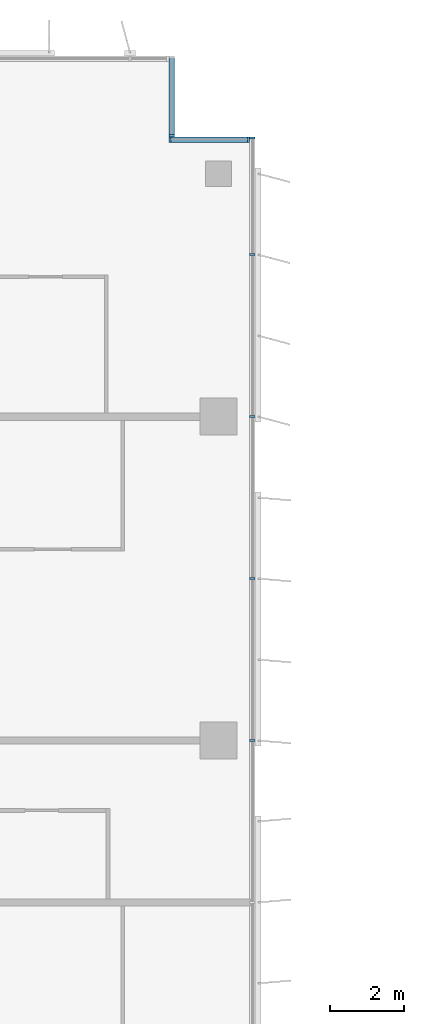
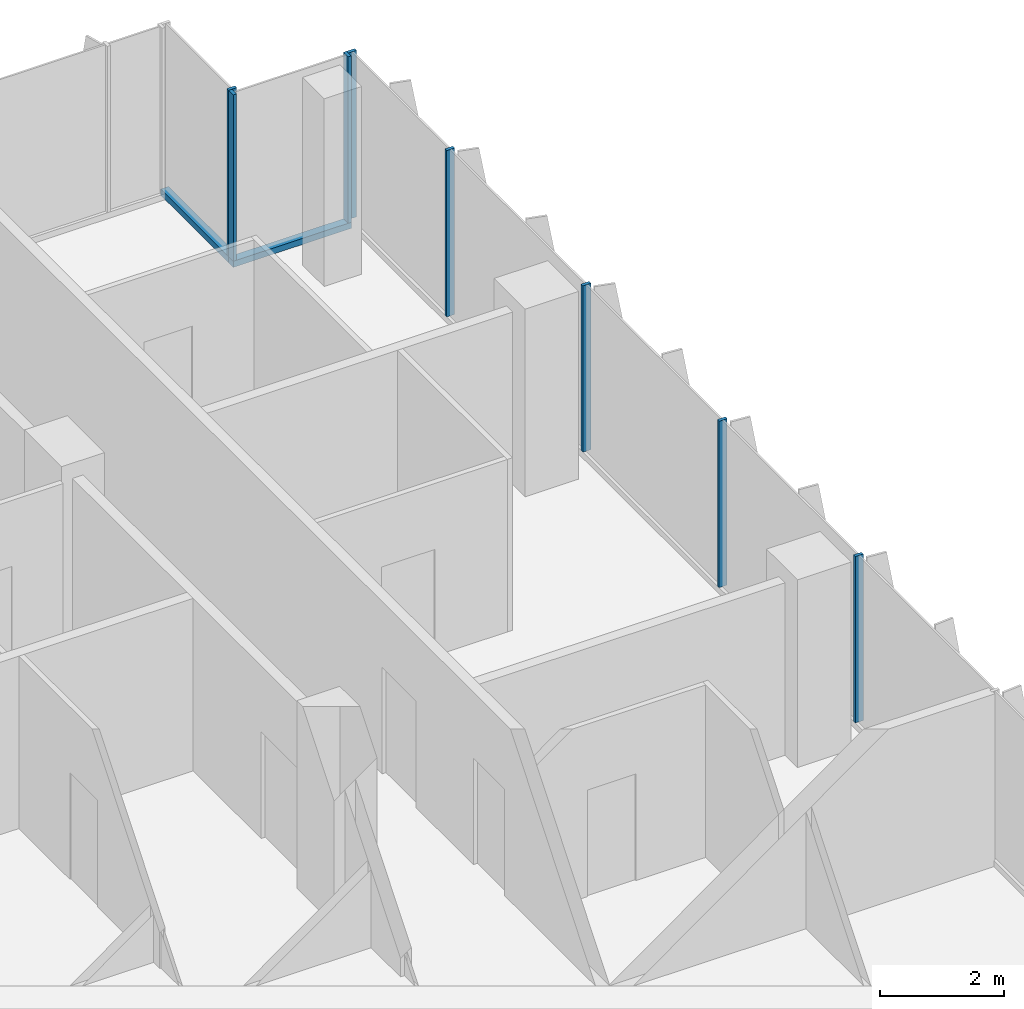
# One storey, part 7 of 21: 10 members, 3 elements without a shape of their own.
"""IFC4 building model written with IfcOpenShell, lengths in metres."""

from ifc_helpers import new_model, si_unit, direction, frame, origin, origin_2d, place, context, subcontext, project, spatial, rectangle, extrude, source, transform, mapped, material, material_profile, profile_set, type_object, element, aggregate, save


model = new_model("IFC4")

# Units and contexts
model_context = context("Model", 3, precision=1e-05, world=origin(), true_north=direction((0.0, 1.0)))
body_context = subcontext(model_context, "Body", "Model", "MODEL_VIEW")
ifc_project = project(units=[si_unit("LENGTHUNIT", "METRE"), si_unit("AREAUNIT", "SQUARE_METRE"), si_unit("VOLUMEUNIT", "CUBIC_METRE"), si_unit("PLANEANGLEUNIT", "RADIAN"), si_unit("MASSUNIT", "GRAM", prefix="KILO")], contexts=[model_context])

# Site, building, storey
site_placement = place(None, origin())
site = spatial("IfcSite", under=ifc_project, at=site_placement, CompositionType="ELEMENT")
building_placement = place(site_placement, origin())
building = spatial("IfcBuilding", under=site, at=building_placement, Name="Kemantara Hotel Tower", CompositionType="ELEMENT")
storey_placement = place(building_placement, frame((0.0, 0.0, 179.0)))
storey = spatial("IfcBuildingStorey", under=building, at=storey_placement, Name="L44", CompositionType="ELEMENT", Elevation=179.0)

# Curtain wall, member
ifc_material_1 = material(Name="Low-E tinted double insulated glass 36 mm", Category="glass")
curtain_wall_type = type_object("IfcCurtainWallType", Name="TOWER CURTAIN WALL, FRONT FACES", PredefinedType="USERDEFINED", material=ifc_material_1)
curtain_wall_1_placement = place(storey_placement, origin())
curtain_wall_1 = element("IfcCurtainWall", 1, at=curtain_wall_1_placement, inside=storey, type_object=curtain_wall_type, Name="CW4 L44 T3-R00-1", ObjectType="TOWER CURTAIN WALL, FRONT FACES", PredefinedType="USERDEFINED")
ifc_material_2 = material(Name="Aluminium 6063-T6 bronze anodised", Category="aluminium")
ifc_material_profile_1 = material_profile(ifc_material_2, rectangle(XDim=0.14990234375, YDim=0.1201171875, at=origin_2d()), Name="TOWER CURTAIN WALL, FRONT FACES TRANSOM")
ifc_profile_set_1 = profile_set([ifc_material_profile_1], Name="Aluminium 6063-T6 bronze anodised")
member_type_1 = type_object("IfcMemberType", Name="TOWER CURTAIN WALL, FRONT FACES TRANSOM", PredefinedType="USERDEFINED", material=ifc_profile_set_1)
member_1_placement = place(storey_placement, frame((21.85009765625, 61.324951171875, 0.06005859375), z_axis=(-1.0, 0.0, 0.0), x_axis=(0.0, -1.0, 0.0)))
member_1 = element("IfcMember", 2, at=member_1_placement, type_object=member_type_1, Name="CW4 sill transom T3-R00-1", ObjectType="TRANSOM", PredefinedType="USERDEFINED", context=body_context, shape_type="SweptSolid", body=[
    extrude(rectangle(XDim=0.14990234375, YDim=0.1201171875, at=origin_2d()), origin(), (0.0, 0.0, 1.0), 2.2001953125),
])

curtain_wall_2_placement = place(storey_placement, origin())
curtain_wall_2 = element("IfcCurtainWall", 3, at=curtain_wall_2_placement, inside=storey, type_object=curtain_wall_type, Name="CW4 L44 T3-R01-1", ObjectType="TOWER CURTAIN WALL, FRONT FACES", PredefinedType="USERDEFINED")
member_2_placement = place(storey_placement, frame((19.72509765625, 61.39990234375, 0.06005859375), z_axis=(0.0, 1.0, 0.0), x_axis=(-1.0, 0.0, 0.0)))
member_2 = element("IfcMember", 4, at=member_2_placement, type_object=member_type_1, Name="CW4 sill transom T3-R01-1", ObjectType="TRANSOM", PredefinedType="USERDEFINED", context=body_context, shape_type="SweptSolid", body=[
    extrude(rectangle(XDim=0.14990234375, YDim=0.1201171875, at=origin_2d()), origin(), (0.0, 0.0, 1.0), 2.2001953125),
])

# Curtain wall, members
curtain_wall_3_placement = place(storey_placement, origin())
curtain_wall_3 = element("IfcCurtainWall", 5, at=curtain_wall_3_placement, inside=storey, type_object=curtain_wall_type, Name="CW4 L44 T3-R17-1", ObjectType="TOWER CURTAIN WALL, FRONT FACES", PredefinedType="USERDEFINED")
ifc_material_profile_2 = material_profile(ifc_material_2, rectangle(XDim=0.14990234375, YDim=0.06005859375, at=origin_2d()), Name="TOWER CURTAIN WALL, FRONT FACES MULLION")
ifc_profile_set_2 = profile_set([ifc_material_profile_2], Name="Aluminium 6063-T6 bronze anodised")
member_type_2 = type_object("IfcMemberType", Name="TOWER CURTAIN WALL, FRONT FACES MULLION", PredefinedType="MULLION", material=ifc_profile_set_2)
shared_shape = source(origin(), body_context, "Body", "SweptSolid", [
    extrude(rectangle(XDim=0.14990234375, YDim=0.06005859375, at=origin_2d()), origin(), (0.0, 0.0, 1.0), 3.27978515625),
])
member_3_placement = place(storey_placement, frame((21.925048828125, 45.0, 0.1201171875), z_axis=(0.0, 0.0, 1.0), x_axis=(-1.0, 0.0, 0.0)))
member_3 = element("IfcMember", 6, at=member_3_placement, type_object=member_type_2, Name="CW4 mullion T3-R17-1.6", PredefinedType="MULLION", context=body_context, shape_type="MappedRepresentation", body=[
    mapped(shared_shape, transform((0.0, 0.0, 0.0))),
])
member_4_placement = place(storey_placement, frame((21.925048828125, 49.39990234375, 0.1201171875), z_axis=(0.0, 0.0, 1.0), x_axis=(-1.0, 0.0, 0.0)))
member_4 = element("IfcMember", 7, at=member_4_placement, type_object=member_type_2, Name="CW4 mullion T3-R17-1.7", PredefinedType="MULLION", context=body_context, shape_type="MappedRepresentation", body=[
    mapped(shared_shape, transform((0.0, 0.0, 0.0))),
])
member_5_placement = place(storey_placement, frame((21.925048828125, 53.800048828125, 0.1201171875), z_axis=(0.0, 0.0, 1.0), x_axis=(-1.0, 0.0, 0.0)))
member_5 = element("IfcMember", 8, at=member_5_placement, type_object=member_type_2, Name="CW4 mullion T3-R17-1.8", PredefinedType="MULLION", context=body_context, shape_type="MappedRepresentation", body=[
    mapped(shared_shape, transform((0.0, 0.0, 0.0))),
])
member_6_placement = place(storey_placement, frame((21.925048828125, 58.199951171875, 0.1201171875), z_axis=(0.0, 0.0, 1.0), x_axis=(-1.0, 0.0, 0.0)))
member_6 = element("IfcMember", 9, at=member_6_placement, type_object=member_type_2, Name="CW4 mullion T3-R17-1.9", PredefinedType="MULLION", context=body_context, shape_type="MappedRepresentation", body=[
    mapped(shared_shape, transform((0.0, 0.0, 0.0))),
])
member_7_placement = place(storey_placement, frame((21.925048828125, 61.3701171875, 0.1201171875), z_axis=(0.0, 0.0, 1.0), x_axis=(-1.0, 0.0, 0.0)))
member_7 = element("IfcMember", 10, at=member_7_placement, type_object=member_type_2, Name="CW4 mullion T3-R17-1.10", PredefinedType="MULLION", context=body_context, shape_type="MappedRepresentation", body=[
    mapped(shared_shape, transform((0.0, 0.0, 0.0))),
])
aggregate(curtain_wall_3, [member_3, member_4, member_5, member_6, member_7])

# Member
member_8_placement = place(storey_placement, frame((21.820068359375, 61.324951171875, 0.1201171875), z_axis=(0.0, 0.0, 1.0), x_axis=(0.0, -1.0, 0.0)))
member_8 = element("IfcMember", 11, at=member_8_placement, type_object=member_type_2, Name="CW4 mullion T3-R00-1.1", PredefinedType="MULLION", context=body_context, shape_type="MappedRepresentation", body=[
    mapped(shared_shape, transform((0.0, 0.0, 0.0))),
])

member_9_placement = place(storey_placement, frame((19.679931640625, 61.324951171875, 0.1201171875), z_axis=(0.0, 0.0, 1.0), x_axis=(0.0, -1.0, 0.0)))
member_9 = element("IfcMember", 12, at=member_9_placement, type_object=member_type_2, Name="CW4 mullion T3-R00-1.2", PredefinedType="MULLION", context=body_context, shape_type="MappedRepresentation", body=[
    mapped(shared_shape, transform((0.0, 0.0, 0.0))),
])

aggregate(curtain_wall_1, [member_1, member_8, member_9])

member_10_placement = place(storey_placement, frame((19.72509765625, 61.429931640625, 0.1201171875), z_axis=(0.0, 0.0, 1.0), x_axis=(-1.0, 0.0, 0.0)))
member_10 = element("IfcMember", 13, at=member_10_placement, type_object=member_type_2, Name="CW4 mullion T3-R01-1.1", PredefinedType="MULLION", context=body_context, shape_type="MappedRepresentation", body=[
    mapped(shared_shape, transform((0.0, 0.0, 0.0))),
])

aggregate(curtain_wall_2, [member_2, member_10])

save(model, "model.ifc")
